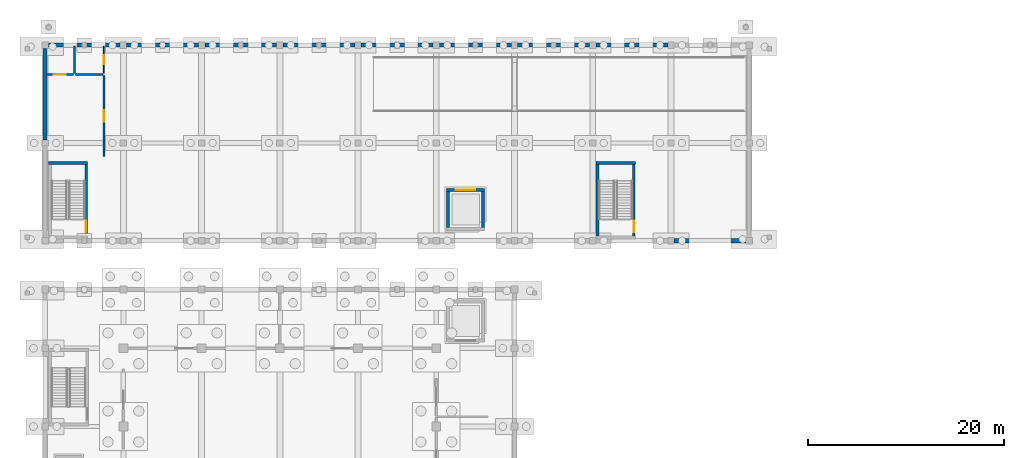
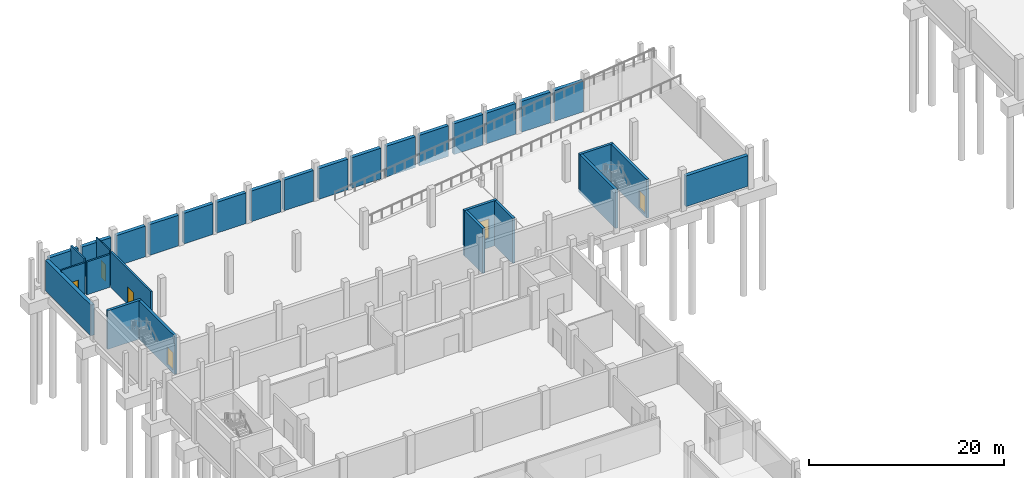
# One storey, part 29 of 52: 31 walls, 6 doors, 6 openings.
"""IFC4 building model written with IfcOpenShell, lengths in metres."""

import ifcopenshell
import ifcopenshell.guid

model = None  # the IFC model being written
_history = None  # IfcOwnerHistory: only IFC2X3 demands one
_inside = {}  # id of a spatial element -> (the spatial element, [elements in it])
_under = {}  # id of a project, library or spatial element -> (it, [spatial elements below it])
_declared = {}  # id of a project -> (the project, [libraries it declares])
_typed = {}  # id of a type object -> (the type object, [elements of that type])
_made_of = {}  # id of a material, layer set ... -> (it, [elements and type objects made of it])


def new_model(schema):
    """Start an empty IFC model of exactly this schema.

    Asked for "IFC4X3", IfcOpenShell would pick the latest addendum, in which some entities
    have other attributes; the version numbers below select the first issue.
    IFC2X3 requires an IfcOwnerHistory on every rooted entity: one is made here for all.
    """
    global model, _history
    if schema == "IFC4X3":
        model = ifcopenshell.file(schema_version=(4, 3, 0, 0))
    else:
        model = ifcopenshell.file(schema=schema)
    _inside.clear()
    _under.clear()
    _declared.clear()
    _typed.clear()
    _made_of.clear()
    _history = None
    if model.schema == "IFC2X3":
        org = make("IfcOrganization", Name="unknown")
        user = make(
            "IfcPersonAndOrganization",
            ThePerson=make("IfcPerson", FamilyName="unknown"),
            TheOrganization=org,
        )
        app = make(
            "IfcApplication",
            ApplicationDeveloper=org,
            Version="unknown",
            ApplicationFullName="unknown",
            ApplicationIdentifier="unknown",
        )
        _history = make(
            "IfcOwnerHistory",
            OwningUser=user,
            OwningApplication=app,
            ChangeAction="ADDED",
            CreationDate=0,
        )
    return model


def make(cls, **values):
    """One entity of the class cls with the attributes given. An attribute that is None is left unset."""
    return model.create_entity(
        cls, **{name: value for name, value in values.items() if value is not None}
    )


def rooted(cls, **values):
    """An entity with a GlobalId (a new one), such as an element, a storey or a relation."""
    return make(cls, GlobalId=ifcopenshell.guid.new(), OwnerHistory=_history, **values)


def si_unit(unit_type, name, prefix=None):
    """IfcSIUnit, for example si_unit("LENGTHUNIT", "METRE", prefix="MILLI")."""
    return make("IfcSIUnit", UnitType=unit_type, Prefix=prefix, Name=name)


def assignment(units):
    """IfcUnitAssignment: the units of a project."""
    return None if units is None else make("IfcUnitAssignment", Units=units)


def point(xyz):
    """IfcCartesianPoint."""
    return None if xyz is None else make("IfcCartesianPoint", Coordinates=xyz)


def direction(xyz):
    """IfcDirection."""
    return None if xyz is None else make("IfcDirection", DirectionRatios=xyz)


def frame(location, z_axis=None, x_axis=None):
    """IfcAxis2Placement3D, a coordinate frame: its origin and axes. An axis left out is left unset."""
    return make(
        "IfcAxis2Placement3D",
        Location=point(location),
        Axis=direction(z_axis),
        RefDirection=direction(x_axis),
    )


def frame_2d(location, x_axis=None):
    """IfcAxis2Placement2D, a coordinate frame in the plane: its origin and x axis."""
    return make(
        "IfcAxis2Placement2D", Location=point(location), RefDirection=direction(x_axis)
    )


def origin():
    """The frame at (0, 0, 0) with its axes left unset."""
    return frame((0.0, 0.0, 0.0))


def place(relative_to, where):
    """IfcLocalPlacement: puts the frame where relative to a parent placement (None: the world)."""
    return make(
        "IfcLocalPlacement", PlacementRelTo=relative_to, RelativePlacement=where
    )


def context(
    kind, dimensions, precision=None, world=None, true_north=None, identifier=None
):
    """IfcGeometricRepresentationContext, for example the 3D "Model" context."""
    return make(
        "IfcGeometricRepresentationContext",
        ContextIdentifier=identifier,
        ContextType=kind,
        CoordinateSpaceDimension=dimensions,
        Precision=precision,
        WorldCoordinateSystem=world,
        TrueNorth=true_north,
    )


def subcontext(parent, identifier, kind, view, scale=None):
    """IfcGeometricRepresentationSubContext, for example "Body" below "Model"."""
    return make(
        "IfcGeometricRepresentationSubContext",
        ContextIdentifier=identifier,
        ContextType=kind,
        ParentContext=parent,
        TargetScale=scale,
        TargetView=view,
    )


def project(units=None, contexts=None):
    """IfcProject with its units and contexts."""
    return rooted(
        "IfcProject",
        Name="project",
        RepresentationContexts=contexts,
        UnitsInContext=assignment(units),
    )


def spatial(cls, under=None, at=None, **own):
    """A site, building, storey or space (cls), placed at a placement, below another one or the project."""
    s = rooted(cls, ObjectPlacement=at, **own)
    if under is not None:
        _under.setdefault(under.id(), (under, []))[1].append(s)
    return s


def profile(cls, at=None, kind="AREA", **sizes):
    """A parametric profile (cls). Its sizes go by their IFC names, for example OverallWidth=200.0."""
    return make(cls, ProfileType=kind, Position=at, **sizes)


def rectangle(**sizes):
    """IfcRectangleProfileDef."""
    return profile("IfcRectangleProfileDef", **sizes)


def extrude(swept, where, along, depth):
    """IfcExtrudedAreaSolid: the profile swept, set in the frame where, extruded along a direction by depth."""
    return make(
        "IfcExtrudedAreaSolid",
        SweptArea=swept,
        Position=where,
        ExtrudedDirection=direction(along),
        Depth=depth,
    )


def shape(context_of_items, identifier, shape_type, items):
    """IfcShapeRepresentation: the items that make up one representation, for example the "Body"."""
    return make(
        "IfcShapeRepresentation",
        ContextOfItems=context_of_items,
        RepresentationIdentifier=identifier,
        RepresentationType=shape_type,
        Items=items,
    )


def material(Name=None, Category=None):
    """IfcMaterial."""
    return make("IfcMaterial", Name=Name, Category=Category)


def layer(
    of_material, thickness, ventilated=None, Name=None, Category=None, Priority=None
):
    """IfcMaterialLayer: one layer of a wall or slab, of a material (None: an air gap)."""
    return make(
        "IfcMaterialLayer",
        Material=of_material,
        LayerThickness=thickness,
        IsVentilated=ventilated,
        Name=Name,
        Category=Category,
        Priority=Priority,
    )


def layer_set(layers, Name=None):
    """IfcMaterialLayerSet."""
    return make("IfcMaterialLayerSet", MaterialLayers=layers, LayerSetName=Name)


def made_of(thing, what):
    """Note that an element or type object is made of a material, layer set ...; save() writes the relation."""
    if what is not None:
        _made_of.setdefault(what.id(), (what, []))[1].append(thing)
    return thing


def type_object(cls, material=None, **own):
    """A type object (cls), such as IfcWallType, which elements share."""
    return made_of(rooted(cls, **own), material)


def element(
    cls,
    number,
    at=None,
    inside=None,
    cuts=None,
    type_object=None,
    material=None,
    context=None,
    identifier="Body",
    shape_type=None,
    held_by="IfcProductDefinitionShape",
    body=None,
    shapes=None,
    **own,
):
    """One element of the class cls, such as IfcWall. Its Tag is "e" and its number.

    at: its placement. inside: the storey or other place that contains it. cuts: it is an
    opening in that element (IfcRelVoidsElement). A single representation is given by context,
    identifier, shape_type and body (its items); several are given by shapes. held_by: the class
    of the entity that holds the representations. save() writes the other relations.
    """
    e = rooted(cls, Tag="e%d" % number, ObjectPlacement=at, **own)
    if body is not None:
        shapes = [shape(context, identifier, shape_type, body)]
    if shapes is not None:
        e.Representation = make(held_by, Representations=shapes)
    if inside is not None:
        _inside.setdefault(inside.id(), (inside, []))[1].append(e)
    if cuts is not None:
        rooted(
            "IfcRelVoidsElement", RelatingBuildingElement=cuts, RelatedOpeningElement=e
        )
    if type_object is not None:
        _typed.setdefault(type_object.id(), (type_object, []))[1].append(e)
    return made_of(e, material)


def fill(opening, filler):
    """IfcRelFillsElement: the door or window that sits in an opening."""
    return rooted(
        "IfcRelFillsElement",
        RelatingOpeningElement=opening,
        RelatedBuildingElement=filler,
    )


def aggregate(whole, parts):
    """IfcRelAggregates: a whole, such as a stair, and the parts it consists of."""
    return rooted("IfcRelAggregates", RelatingObject=whole, RelatedObjects=parts)


def save(model, path):
    """Write the relations noted so far, then the file.

    IfcRelAggregates (storeys below a building ...), IfcRelContainedInSpatialStructure (elements
    in a storey), IfcRelDefinesByType, IfcRelAssociatesMaterial and IfcRelDeclares: one each for
    every whole, place, type object, material and project.
    """
    for whole, parts in _under.values():
        aggregate(whole, parts)
    for where, things in _inside.values():
        rooted(
            "IfcRelContainedInSpatialStructure",
            RelatedElements=things,
            RelatingStructure=where,
        )
    for kind, things in _typed.values():
        rooted("IfcRelDefinesByType", RelatedObjects=things, RelatingType=kind)
    for what, things in _made_of.values():
        rooted("IfcRelAssociatesMaterial", RelatedObjects=things, RelatingMaterial=what)
    for by, libraries in _declared.values():
        rooted("IfcRelDeclares", RelatingContext=by, RelatedDefinitions=libraries)
    model.write(path)


model = new_model("IFC4")

# Units and contexts
model_context = context("Model", 3, precision=1e-05, world=origin(), true_north=direction((0.0, 1.0)))
body_context = subcontext(model_context, "Body", "Model", "MODEL_VIEW")
ifc_project = project(units=[si_unit("LENGTHUNIT", "METRE"), si_unit("AREAUNIT", "SQUARE_METRE"), si_unit("VOLUMEUNIT", "CUBIC_METRE"), si_unit("PLANEANGLEUNIT", "RADIAN"), si_unit("MASSUNIT", "GRAM", prefix="KILO")], contexts=[model_context])

# Site, building, storey
site_placement = place(None, origin())
site = spatial("IfcSite", under=ifc_project, at=site_placement, CompositionType="ELEMENT")
building_placement = place(site_placement, origin())
building = spatial("IfcBuilding", under=site, at=building_placement, Name="Luwemba Playhouse", CompositionType="ELEMENT")
storey_placement = place(building_placement, frame((0.0, 0.0, -4.800048828125)))
storey = spatial("IfcBuildingStorey", under=building, at=storey_placement, Name="B1", CompositionType="ELEMENT", Elevation=-4.800048828125)

# Wall
ifc_material_1 = material(Name="Concrete C40/50", Category="concrete")
ifc_layer_1 = layer(ifc_material_1, 0.300048828125)
ifc_layer_set_1 = layer_set([ifc_layer_1], Name="Concrete C40/50")
wall_type_1 = type_object("IfcWallType", Name="WAL-CORE-300", PredefinedType="SHEAR", material=ifc_layer_set_1)
wall_1_placement = place(storey_placement, frame((8.35009765625, 102.969970703125, -0.3798828125), z_axis=(0.0, 0.0, 1.0), x_axis=(-1.0, 0.0, 0.0)))
element("IfcWall", 1, at=wall_1_placement, inside=storey, type_object=wall_type_1, Name="B1 ST-08 stair core wall N", PredefinedType="SHEAR", context=body_context, shape_type="SweptSolid", body=[
    extrude(rectangle(XDim=4.0, YDim=0.300048828125, at=frame_2d((2.0, 0.0))), origin(), (0.0, 0.0, 1.0), 4.83984375),
])

# Wall, opening, door
wall_2_placement = place(storey_placement, frame((8.199951171875, 95.5, -0.3798828125), z_axis=(0.0, 0.0, 1.0), x_axis=(0.0, 1.0, 0.0)))
wall_2 = element("IfcWall", 2, at=wall_2_placement, inside=storey, type_object=wall_type_1, Name="B1 ST-08 stair core wall E", PredefinedType="SHEAR", context=body_context, shape_type="SweptSolid", body=[
    extrude(rectangle(XDim=7.320068359375, YDim=0.300048828125, at=frame_2d((3.66015625, 0.0))), origin(), (0.0, 0.0, 1.0), 4.83984375),
])
opening_1_placement = place(wall_2_placement, frame((0.35009765625, 0.0, 0.3798828125)))
opening_1 = element("IfcOpeningElement", 3, at=opening_1_placement, cuts=wall_2, Name="Opening D-STAIR3", PredefinedType="OPENING", context=body_context, shape_type="SweptSolid", body=[
    extrude(rectangle(XDim=1.199951171875, YDim=2.14990234375, at=frame_2d((0.60009765625, 1.074951171875))), frame((0.0, 0.159912109375, 0.0), z_axis=(0.0, -1.0, 0.0), x_axis=(1.0, 0.0, 0.0)), (0.0, 0.0, 1.0), 0.320068359375),
])
ifc_material_2 = material(Name="Hardwood acoustic fire door leaf", Category="wood")
door_type_1 = type_object("IfcDoorType", Name="DR-STAIR-120", OperationType="NOTDEFINED", PredefinedType="DOOR", material=ifc_material_2)
door_1_placement = place(opening_1_placement, origin())
door_1 = element("IfcDoor", 4, at=door_1_placement, inside=storey, type_object=door_type_1, Name="B1 ST-08 protected stair entry door", OperationType="SINGLE_SWING_LEFT", OverallHeight=2.14990234375, OverallWidth=1.199951171875, PredefinedType="DOOR", context=body_context, shape_type="SweptSolid", body=[
    extrude(rectangle(XDim=1.199951171875, YDim=2.14990234375, at=frame_2d((0.60009765625, 1.074951171875))), frame((0.0, 0.02490234375, 0.0), z_axis=(0.0, -1.0, 0.0), x_axis=(1.0, 0.0, 0.0)), (0.0, 0.0, 1.0), 0.050048828125),
])
fill(opening_1, door_1)

# Walls
wall_3_placement = place(storey_placement, frame((64.35009765625, 102.969970703125, -0.3798828125), z_axis=(0.0, 0.0, 1.0), x_axis=(-1.0, 0.0, 0.0)))
element("IfcWall", 5, at=wall_3_placement, inside=storey, type_object=wall_type_1, Name="B1 ST-15 stair core wall N", PredefinedType="SHEAR", context=body_context, shape_type="SweptSolid", body=[
    extrude(rectangle(XDim=4.0, YDim=0.300048828125, at=frame_2d((2.0, 0.0))), origin(), (0.0, 0.0, 1.0), 4.83984375),
])
wall_4_placement = place(storey_placement, frame((60.5, 95.5, -0.3798828125), z_axis=(0.0, 0.0, 1.0), x_axis=(0.0, 1.0, 0.0)))
element("IfcWall", 6, at=wall_4_placement, inside=storey, type_object=wall_type_1, Name="B1 ST-15 stair core wall W", PredefinedType="SHEAR", context=body_context, shape_type="SweptSolid", body=[
    extrude(rectangle(XDim=7.320068359375, YDim=0.300048828125, at=frame_2d((3.66015625, 0.0))), origin(), (0.0, 0.0, 1.0), 4.83984375),
])

# Wall, opening, door
wall_5_placement = place(storey_placement, frame((64.199951171875, 95.5, -0.3798828125), z_axis=(0.0, 0.0, 1.0), x_axis=(0.0, 1.0, 0.0)))
wall_5 = element("IfcWall", 7, at=wall_5_placement, inside=storey, type_object=wall_type_1, Name="B1 ST-15 stair core wall E", PredefinedType="SHEAR", context=body_context, shape_type="SweptSolid", body=[
    extrude(rectangle(XDim=7.320068359375, YDim=0.300048828125, at=frame_2d((3.66015625, 0.0))), origin(), (0.0, 0.0, 1.0), 4.83984375),
])
opening_2_placement = place(wall_5_placement, frame((0.35009765625, 0.0, 0.3798828125)))
opening_2 = element("IfcOpeningElement", 8, at=opening_2_placement, cuts=wall_5, Name="Opening D-STAIR3", PredefinedType="OPENING", context=body_context, shape_type="SweptSolid", body=[
    extrude(rectangle(XDim=1.199951171875, YDim=2.14990234375, at=frame_2d((0.60009765625, 1.074951171875))), frame((0.0, 0.159912109375, 0.0), z_axis=(0.0, -1.0, 0.0), x_axis=(1.0, 0.0, 0.0)), (0.0, 0.0, 1.0), 0.320068359375),
])
door_2_placement = place(opening_2_placement, origin())
door_2 = element("IfcDoor", 9, at=door_2_placement, inside=storey, type_object=door_type_1, Name="B1 ST-15 protected stair entry door", OperationType="SINGLE_SWING_LEFT", OverallHeight=2.14990234375, OverallWidth=1.199951171875, PredefinedType="DOOR", context=body_context, shape_type="SweptSolid", body=[
    extrude(rectangle(XDim=1.199951171875, YDim=2.14990234375, at=frame_2d((0.60009765625, 1.074951171875))), frame((0.0, 0.02490234375, 0.0), z_axis=(0.0, -1.0, 0.0), x_axis=(1.0, 0.0, 0.0)), (0.0, 0.0, 1.0), 0.050048828125),
])
fill(opening_2, door_2)

wall_6_placement = place(storey_placement, frame((48.949951171875, 100.199951171875, -1.199951171875), z_axis=(0.0, 0.0, 1.0), x_axis=(-1.0, 0.0, 0.0)))
wall_6 = element("IfcWall", 10, at=wall_6_placement, inside=storey, type_object=wall_type_1, Name="B1 Lift LF-G2 shaft wall N", PredefinedType="SHEAR", context=body_context, shape_type="SweptSolid", body=[
    extrude(rectangle(XDim=3.89990234375, YDim=0.300048828125, at=frame_2d((1.949951171875, 0.0))), origin(), (0.0, 0.0, 1.0), 5.659912109375),
])
opening_3_placement = place(wall_6_placement, frame((0.949951171875, 0.0, 1.199951171875)))
opening_3 = element("IfcOpeningElement", 11, at=opening_3_placement, cuts=wall_6, Name="Opening LD-02", PredefinedType="OPENING", context=body_context, shape_type="SweptSolid", body=[
    extrude(rectangle(XDim=2.0, YDim=2.39990234375, at=frame_2d((1.0, 1.199951171875))), frame((0.0, 0.159912109375, 0.0), z_axis=(0.0, -1.0, 0.0), x_axis=(1.0, 0.0, 0.0)), (0.0, 0.0, 1.0), 0.320068359375),
])
ifc_material_3 = material(Name="Heavy steel goods lift landing doors", Category="steel")
door_type_2 = type_object("IfcDoorType", Name="DR-LIFT-200", OperationType="NOTDEFINED", PredefinedType="DOOR", material=ifc_material_3)
door_3_placement = place(opening_3_placement, origin())
door_3 = element("IfcDoor", 12, at=door_3_placement, inside=storey, type_object=door_type_2, Name="B1 Lift LF-G2 landing door", OperationType="DOUBLE_DOOR_SLIDING", OverallHeight=2.39990234375, OverallWidth=2.0, PredefinedType="DOOR", context=body_context, shape_type="SweptSolid", body=[
    extrude(rectangle(XDim=2.0, YDim=2.39990234375, at=frame_2d((1.0, 1.199951171875))), frame((0.0, 0.02490234375, 0.0), z_axis=(0.0, -1.0, 0.0), x_axis=(1.0, 0.0, 0.0)), (0.0, 0.0, 1.0), 0.050048828125),
])
fill(opening_3, door_3)

# Walls
for number, where, z_axis, x_axis, name in (
    (13, (45.199951171875, 96.35009765625, -1.199951171875), (0.0, 0.0, 1.0), (0.0, 1.0, 0.0), "B1 Lift LF-G2 shaft wall W"),
    (14, (48.800048828125, 100.050048828125, -1.199951171875), (0.0, 0.0, 1.0), (0.0, -1.0, 0.0), "B1 Lift LF-G2 shaft wall E"),
):
    element("IfcWall", number, at=place(storey_placement, frame(where, z_axis=z_axis, x_axis=x_axis)), inside=storey, type_object=wall_type_1, Name=name, PredefinedType="SHEAR", context=body_context, shape_type="SweptSolid", body=[
        extrude(rectangle(XDim=3.699951171875, YDim=0.300048828125, at=frame_2d((1.85009765625, 0.0))), origin(), (0.0, 0.0, 1.0), 5.659912109375),
    ])

# Wall, opening, door
ifc_material_4 = material(Name="Moisture-resistant sanitary partition", Category="gypsum")
ifc_layer_2 = layer(ifc_material_4, 0.1201171875)
ifc_layer_set_2 = layer_set([ifc_layer_2], Name="Moisture-resistant sanitary partition")
wall_type_2 = type_object("IfcWallType", Name="WAL-INT-120", PredefinedType="PARTITIONING", material=ifc_layer_set_2)
wall_7_placement = place(storey_placement, frame((10.0, 112.1201171875, 0.0), z_axis=(0.0, 0.0, 1.0), x_axis=(0.0, 1.0, 0.0)))
wall_7 = element("IfcWall", 15, at=wall_7_placement, inside=storey, type_object=wall_type_2, Name="B1 V6W interior partition 0059", PredefinedType="PARTITIONING", context=body_context, shape_type="SweptSolid", body=[
    extrude(rectangle(XDim=2.759765625, YDim=0.1201171875, at=frame_2d((1.3798828125, 0.0))), origin(), (0.0, 0.0, 1.0), 4.4599609375),
])
opening_4_placement = place(wall_7_placement, frame((0.905029296875, 0.0, 0.0)))
opening_4 = element("IfcOpeningElement", 16, at=opening_4_placement, cuts=wall_7, Name="Opening D-WC1", PredefinedType="OPENING", context=body_context, shape_type="SweptSolid", body=[
    extrude(rectangle(XDim=0.949951171875, YDim=2.10009765625, at=frame_2d((0.47509765625, 1.050048828125))), frame((0.0, 0.070068359375, 0.0), z_axis=(0.0, -1.0, 0.0), x_axis=(1.0, 0.0, 0.0)), (0.0, 0.0, 1.0), 0.14013671875),
])
ifc_material_5 = material(Name="Moisture-resistant laminate door", Category="wood")
door_type_3 = type_object("IfcDoorType", Name="DR-WC-095", OperationType="NOTDEFINED", PredefinedType="DOOR", material=ifc_material_5)
door_4_placement = place(opening_4_placement, origin())
door_4 = element("IfcDoor", 17, at=door_4_placement, inside=storey, type_object=door_type_3, Name="B1 Underground Staff and Accessible Parking to Car Park Staff Toilets door", OperationType="SINGLE_SWING_LEFT", OverallHeight=2.10009765625, OverallWidth=0.949951171875, PredefinedType="DOOR", context=body_context, shape_type="SweptSolid", body=[
    extrude(rectangle(XDim=0.949951171875, YDim=2.10009765625, at=frame_2d((0.47509765625, 1.050048828125))), frame((0.0, 0.02490234375, 0.0), z_axis=(0.0, -1.0, 0.0), x_axis=(1.0, 0.0, 0.0)), (0.0, 0.0, 1.0), 0.050048828125),
])
fill(opening_4, door_4)

ifc_material_6 = material(Name="Clay acoustic masonry blockwork", Category="masonry")
ifc_layer_3 = layer(ifc_material_6, 0.199951171875)
ifc_layer_set_3 = layer_set([ifc_layer_3], Name="Clay acoustic masonry blockwork")
wall_type_3 = type_object("IfcWallType", Name="WAL-INT-200", PredefinedType="PARTITIONING", material=ifc_layer_set_3)
wall_8_placement = place(storey_placement, frame((10.0, 103.6201171875, 0.0), z_axis=(0.0, 0.0, 1.0), x_axis=(0.0, 1.0, 0.0)))
wall_8 = element("IfcWall", 18, at=wall_8_placement, inside=storey, type_object=wall_type_3, Name="B1 V6W interior partition 0058", PredefinedType="PARTITIONING", context=body_context, shape_type="SweptSolid", body=[
    extrude(rectangle(XDim=8.259765625, YDim=0.199951171875, at=frame_2d((4.1298828125, 0.0))), origin(), (0.0, 0.0, 1.0), 4.4599609375),
])
opening_5_placement = place(wall_8_placement, frame((3.530029296875, 0.0, 0.0)))
opening_5 = element("IfcOpeningElement", 19, at=opening_5_placement, cuts=wall_8, Name="Opening D-FD120", PredefinedType="OPENING", context=body_context, shape_type="SweptSolid", body=[
    extrude(rectangle(XDim=1.199951171875, YDim=2.199951171875, at=frame_2d((0.60009765625, 1.10009765625))), frame((0.0, 0.10986328125, 0.0), z_axis=(0.0, -1.0, 0.0), x_axis=(1.0, 0.0, 0.0)), (0.0, 0.0, 1.0), 0.219970703125),
])
ifc_material_7 = material(Name="Steel-core fire command door leaf", Category="steel")
door_type_4 = type_object("IfcDoorType", Name="DR-FCC-120", OperationType="NOTDEFINED", PredefinedType="DOOR", material=ifc_material_7)
door_5_placement = place(opening_5_placement, origin())
door_5 = element("IfcDoor", 20, at=door_5_placement, inside=storey, type_object=door_type_4, Name="B1 Underground Staff and Accessible Parking to Central Fire Sprinkler Pump and Cistern Room door", OperationType="SINGLE_SWING_RIGHT", OverallHeight=2.199951171875, OverallWidth=1.199951171875, PredefinedType="DOOR", context=body_context, shape_type="SweptSolid", body=[
    extrude(rectangle(XDim=1.199951171875, YDim=2.199951171875, at=frame_2d((0.60009765625, 1.10009765625))), frame((0.0, 0.02490234375, 0.0), z_axis=(0.0, -1.0, 0.0), x_axis=(1.0, 0.0, 0.0)), (0.0, 0.0, 1.0), 0.050048828125),
])
fill(opening_5, door_5)

wall_9_placement = place(storey_placement, frame((4.1201171875, 112.0, 0.0), z_axis=(0.0, 0.0, 1.0), x_axis=(1.0, 0.0, 0.0)))
wall_9 = element("IfcWall", 21, at=wall_9_placement, inside=storey, type_object=wall_type_3, Name="B1 V6W interior partition 0060", PredefinedType="PARTITIONING", context=body_context, shape_type="SweptSolid", body=[
    extrude(rectangle(XDim=2.759765625, YDim=0.199951171875, at=frame_2d((1.3798828125, 0.0))), origin(), (0.0, 0.0, 1.0), 4.114990234375),
])
opening_6_placement = place(wall_9_placement, frame((0.780029296875, 0.0, 0.0)))
opening_6 = element("IfcOpeningElement", 22, at=opening_6_placement, cuts=wall_9, Name="Opening D-FD120", PredefinedType="OPENING", context=body_context, shape_type="SweptSolid", body=[
    extrude(rectangle(XDim=1.199951171875, YDim=2.199951171875, at=frame_2d((0.60009765625, 1.10009765625))), frame((0.0, 0.10986328125, 0.0), z_axis=(0.0, -1.0, 0.0), x_axis=(1.0, 0.0, 0.0)), (0.0, 0.0, 1.0), 0.219970703125),
])
door_6_placement = place(opening_6_placement, origin())
door_6 = element("IfcDoor", 23, at=door_6_placement, inside=storey, type_object=door_type_4, Name="B1 Central Fire Sprinkler Pump and Cistern Room to Car Park Lobby Accessible WC door", OperationType="SINGLE_SWING_RIGHT", OverallHeight=2.199951171875, OverallWidth=1.199951171875, PredefinedType="DOOR", context=body_context, shape_type="SweptSolid", body=[
    extrude(rectangle(XDim=1.199951171875, YDim=2.199951171875, at=frame_2d((0.60009765625, 1.10009765625))), frame((0.0, 0.02490234375, 0.0), z_axis=(0.0, -1.0, 0.0), x_axis=(1.0, 0.0, 0.0)), (0.0, 0.0, 1.0), 0.050048828125),
])
fill(opening_6, door_6)

# Walls
wall_10_placement = place(storey_placement, frame((7.1201171875, 112.0, 0.0), z_axis=(0.0, 0.0, 1.0), x_axis=(1.0, 0.0, 0.0)))
element("IfcWall", 24, at=wall_10_placement, inside=storey, type_object=wall_type_3, Name="B1 V6W interior partition 0061", PredefinedType="PARTITIONING", context=body_context, shape_type="SweptSolid", body=[
    extrude(rectangle(XDim=2.759765625, YDim=0.199951171875, at=frame_2d((1.3798828125, 0.0))), origin(), (0.0, 0.0, 1.0), 4.114990234375),
])
wall_11_placement = place(storey_placement, frame((7.0, 112.1201171875, 0.0), z_axis=(0.0, 0.0, 1.0), x_axis=(0.0, 1.0, 0.0)))
element("IfcWall", 25, at=wall_11_placement, inside=storey, type_object=wall_type_3, Name="B1 V6W interior partition 0062", PredefinedType="PARTITIONING", context=body_context, shape_type="SweptSolid", body=[
    extrude(rectangle(XDim=2.759765625, YDim=0.199951171875, at=frame_2d((1.3798828125, 0.0))), origin(), (0.0, 0.0, 1.0), 4.4599609375),
])
ifc_material_8 = material(Name="Concrete C32/40", Category="concrete")
ifc_layer_4 = layer(ifc_material_8, 0.419921875)
ifc_layer_set_4 = layer_set([ifc_layer_4], Name="Concrete C32/40")
wall_type_4 = type_object("IfcWallType", Name="WAL-RET-420", PredefinedType="USERDEFINED", material=ifc_layer_set_4)
wall_12_placement = place(storey_placement, frame((4.0, 105.324951171875, 0.0), z_axis=(0.0, 0.0, 1.0), x_axis=(0.0, 1.0, 0.0)))
element("IfcWall", 26, at=wall_12_placement, inside=storey, type_object=wall_type_4, Name="Basement retaining wall 152", ObjectType="RETAINING WALL", PredefinedType="USERDEFINED", context=body_context, shape_type="SweptSolid", body=[
    extrude(rectangle(XDim=9.35009765625, YDim=0.419921875, at=frame_2d((4.675048828125, 0.0))), origin(), (0.0, 0.0, 1.0), 3.85009765625),
])
for number, where, z_axis, x_axis, name in (
    (27, (4.324951171875, 115.0, 0.0), (0.0, 0.0, 1.0), (1.0, 0.0, 0.0), "Basement retaining wall 153"),
    (28, (8.199951171875, 115.0, 0.0), (0.0, 0.0, 1.0), (1.0, 0.0, 0.0), "Basement retaining wall 154"),
):
    element("IfcWall", number, at=place(storey_placement, frame(where, z_axis=z_axis, x_axis=x_axis)), inside=storey, type_object=wall_type_4, Name=name, ObjectType="RETAINING WALL", PredefinedType="USERDEFINED", context=body_context, shape_type="SweptSolid", body=[
        extrude(rectangle(XDim=3.47509765625, YDim=0.419921875, at=frame_2d((1.737548828125, 0.0))), origin(), (0.0, 0.0, 1.0), 3.85009765625),
    ])
for number, where, z_axis, x_axis, name in (
    (29, (12.324951171875, 115.0, 0.0), (0.0, 0.0, 1.0), (1.0, 0.0, 0.0), "Basement retaining wall 155"),
    (30, (16.25, 115.0, 0.0), (0.0, 0.0, 1.0), (1.0, 0.0, 0.0), "Basement retaining wall 156"),
):
    element("IfcWall", number, at=place(storey_placement, frame(where, z_axis=z_axis, x_axis=x_axis)), inside=storey, type_object=wall_type_4, Name=name, ObjectType="RETAINING WALL", PredefinedType="USERDEFINED", context=body_context, shape_type="SweptSolid", body=[
        extrude(rectangle(XDim=3.425048828125, YDim=0.419921875, at=frame_2d((1.71240234375, 0.0))), origin(), (0.0, 0.0, 1.0), 3.85009765625),
    ])
for number, where, z_axis, x_axis, name in (
    (31, (20.324951171875, 115.0, 0.0), (0.0, 0.0, 1.0), (1.0, 0.0, 0.0), "Basement retaining wall 157"),
    (32, (24.22509765625, 115.0, 0.0), (0.0, 0.0, 1.0), (1.0, 0.0, 0.0), "Basement retaining wall 158"),
):
    element("IfcWall", number, at=place(storey_placement, frame(where, z_axis=z_axis, x_axis=x_axis)), inside=storey, type_object=wall_type_4, Name=name, ObjectType="RETAINING WALL", PredefinedType="USERDEFINED", context=body_context, shape_type="SweptSolid", body=[
        extrude(rectangle(XDim=3.449951171875, YDim=0.419921875, at=frame_2d((1.72509765625, 0.0))), origin(), (0.0, 0.0, 1.0), 3.85009765625),
    ])
for number, where, z_axis, x_axis, name in (
    (33, (28.324951171875, 115.0, 0.0), (0.0, 0.0, 1.0), (1.0, 0.0, 0.0), "Basement retaining wall 159"),
    (34, (32.199951171875, 115.0, 0.0), (0.0, 0.0, 1.0), (1.0, 0.0, 0.0), "Basement retaining wall 160"),
):
    element("IfcWall", number, at=place(storey_placement, frame(where, z_axis=z_axis, x_axis=x_axis)), inside=storey, type_object=wall_type_4, Name=name, ObjectType="RETAINING WALL", PredefinedType="USERDEFINED", context=body_context, shape_type="SweptSolid", body=[
        extrude(rectangle(XDim=3.47509765625, YDim=0.419921875, at=frame_2d((1.737548828125, 0.0))), origin(), (0.0, 0.0, 1.0), 3.85009765625),
    ])
for number, where, z_axis, x_axis, name in (
    (35, (36.324951171875, 115.0, 0.0), (0.0, 0.0, 1.0), (1.0, 0.0, 0.0), "Basement retaining wall 161"),
    (36, (40.25, 115.0, 0.0), (0.0, 0.0, 1.0), (1.0, 0.0, 0.0), "Basement retaining wall 162"),
):
    element("IfcWall", number, at=place(storey_placement, frame(where, z_axis=z_axis, x_axis=x_axis)), inside=storey, type_object=wall_type_4, Name=name, ObjectType="RETAINING WALL", PredefinedType="USERDEFINED", context=body_context, shape_type="SweptSolid", body=[
        extrude(rectangle(XDim=3.425048828125, YDim=0.419921875, at=frame_2d((1.71240234375, 0.0))), origin(), (0.0, 0.0, 1.0), 3.85009765625),
    ])
for number, where, z_axis, x_axis, name in (
    (37, (44.324951171875, 115.0, 0.0), (0.0, 0.0, 1.0), (1.0, 0.0, 0.0), "Basement retaining wall 163"),
    (38, (48.22509765625, 115.0, 0.0), (0.0, 0.0, 1.0), (1.0, 0.0, 0.0), "Basement retaining wall 164"),
):
    element("IfcWall", number, at=place(storey_placement, frame(where, z_axis=z_axis, x_axis=x_axis)), inside=storey, type_object=wall_type_4, Name=name, ObjectType="RETAINING WALL", PredefinedType="USERDEFINED", context=body_context, shape_type="SweptSolid", body=[
        extrude(rectangle(XDim=3.449951171875, YDim=0.419921875, at=frame_2d((1.72509765625, 0.0))), origin(), (0.0, 0.0, 1.0), 3.85009765625),
    ])
for number, where, z_axis, x_axis, name in (
    (39, (52.324951171875, 115.0, 0.0), (0.0, 0.0, 1.0), (1.0, 0.0, 0.0), "Basement retaining wall 165"),
    (40, (56.199951171875, 115.0, 0.0), (0.0, 0.0, 1.0), (1.0, 0.0, 0.0), "Basement retaining wall 166"),
):
    element("IfcWall", number, at=place(storey_placement, frame(where, z_axis=z_axis, x_axis=x_axis)), inside=storey, type_object=wall_type_4, Name=name, ObjectType="RETAINING WALL", PredefinedType="USERDEFINED", context=body_context, shape_type="SweptSolid", body=[
        extrude(rectangle(XDim=3.47509765625, YDim=0.419921875, at=frame_2d((1.737548828125, 0.0))), origin(), (0.0, 0.0, 1.0), 3.85009765625),
    ])
for number, where, z_axis, x_axis, name in (
    (41, (60.324951171875, 115.0, 0.0), (0.0, 0.0, 1.0), (1.0, 0.0, 0.0), "Basement retaining wall 167"),
    (42, (64.25, 115.0, 0.0), (0.0, 0.0, 1.0), (1.0, 0.0, 0.0), "Basement retaining wall 168"),
):
    element("IfcWall", number, at=place(storey_placement, frame(where, z_axis=z_axis, x_axis=x_axis)), inside=storey, type_object=wall_type_4, Name=name, ObjectType="RETAINING WALL", PredefinedType="USERDEFINED", context=body_context, shape_type="SweptSolid", body=[
        extrude(rectangle(XDim=3.425048828125, YDim=0.419921875, at=frame_2d((1.71240234375, 0.0))), origin(), (0.0, 0.0, 1.0), 3.85009765625),
    ])
wall_13_placement = place(storey_placement, frame((75.675048828125, 95.0, 0.0), z_axis=(0.0, 0.0, 1.0), x_axis=(-1.0, 0.0, 0.0)))
element("IfcWall", 43, at=wall_13_placement, inside=storey, type_object=wall_type_4, Name="Basement retaining wall 173", ObjectType="RETAINING WALL", PredefinedType="USERDEFINED", context=body_context, shape_type="SweptSolid", body=[
    extrude(rectangle(XDim=7.35009765625, YDim=0.419921875, at=frame_2d((3.675048828125, 0.0))), origin(), (0.0, 0.0, 1.0), 3.85009765625),
])

save(model, "model.ifc")
